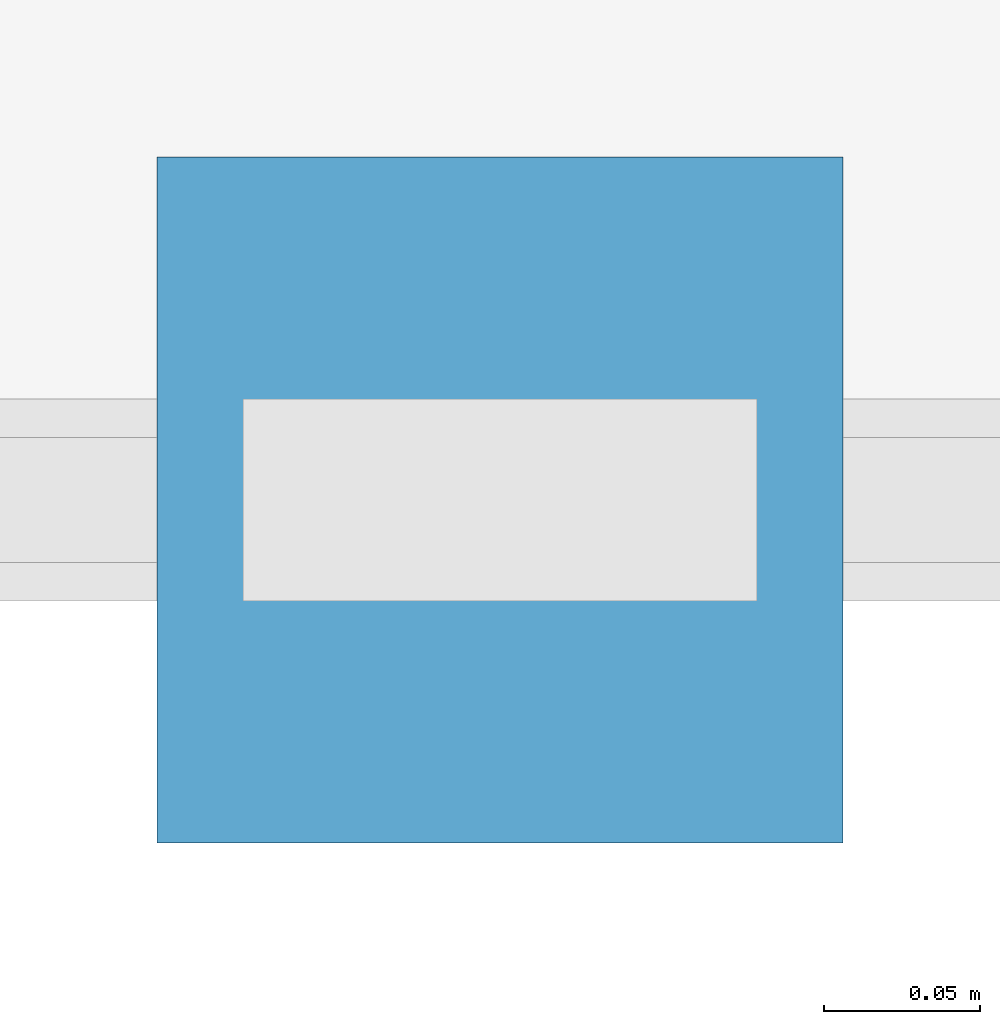
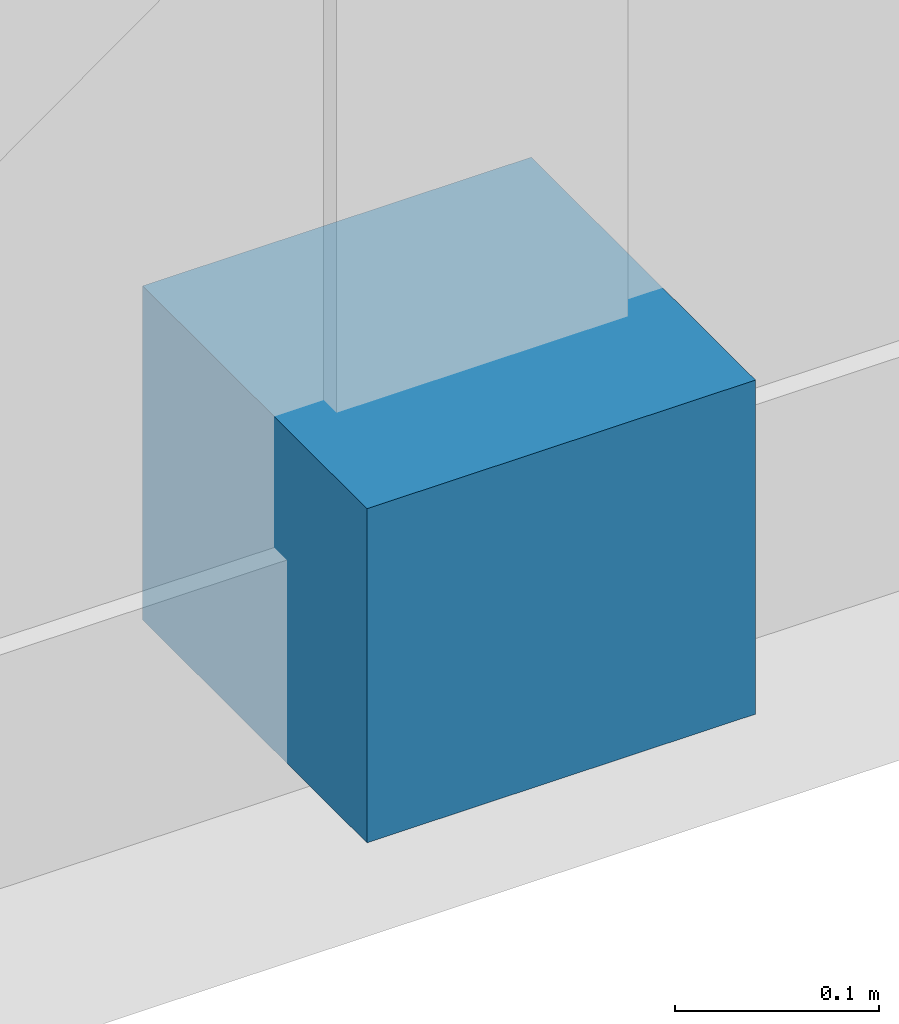
# One storey, part 9 of 10: 1 discrete accessory.
"""IFC4 building model written with IfcOpenShell, lengths in metres."""

from ifc_helpers import new_model, si_unit, direction, frame, origin, origin_2d, place, context, subcontext, project, spatial, rectangle, extrude, material, type_object, element, save


model = new_model("IFC4")

# Units and contexts
model_context = context("Model", 3, precision=1e-05, world=origin(), true_north=direction((0.0, 1.0)))
body_context = subcontext(model_context, "Body", "Model", "MODEL_VIEW")
ifc_project = project(units=[si_unit("LENGTHUNIT", "METRE"), si_unit("AREAUNIT", "SQUARE_METRE"), si_unit("VOLUMEUNIT", "CUBIC_METRE"), si_unit("PLANEANGLEUNIT", "RADIAN"), si_unit("MASSUNIT", "GRAM", prefix="KILO")], contexts=[model_context])

# Site, building, storey
site_placement = place(None, origin())
site = spatial("IfcSite", under=ifc_project, at=site_placement, CompositionType="ELEMENT")
building_placement = place(site_placement, origin())
building = spatial("IfcBuilding", under=site, at=building_placement, Name="Nhamokura Convention Tower", CompositionType="ELEMENT")
storey_placement = place(building_placement, frame((0.0, 0.0, 210.0)))
storey = spatial("IfcBuildingStorey", under=building, at=storey_placement, Name="L51", CompositionType="ELEMENT", Elevation=210.0)

# Discrete accessory
ifc_material = material(Name="Steel ASTM A572 Gr 50", Category="steel")
discrete_accessory_type = type_object("IfcDiscreteAccessoryType", Name="FacadeOutstandBracket", PredefinedType="BRACKET", material=ifc_material)
discrete_accessory_placement = place(storey_placement, frame((41.5, 8.89990234375, -0.02001953125), z_axis=(0.0, 0.0, 1.0), x_axis=(1.0, 0.0, 0.0)))
element("IfcDiscreteAccessory", 1, at=discrete_accessory_placement, inside=storey, type_object=discrete_accessory_type, Name="L51 Scale Slot Base Shoe Bracket SOUTH 4", PredefinedType="BRACKET", context=body_context, shape_type="SweptSolid", body=[
    extrude(rectangle(XDim=0.219970703125, YDim=0.219970703125, at=origin_2d()), origin(), (0.0, 0.0, 1.0), 0.199951171875),
])

save(model, "model.ifc")
